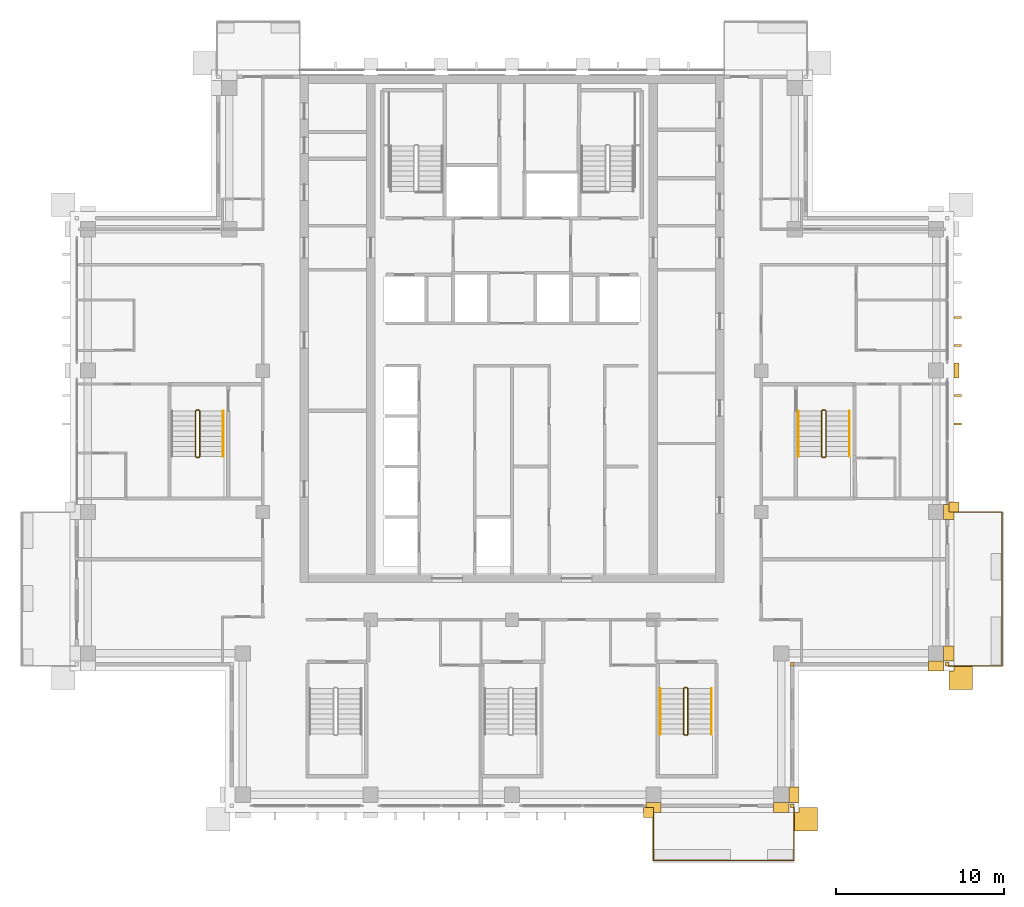
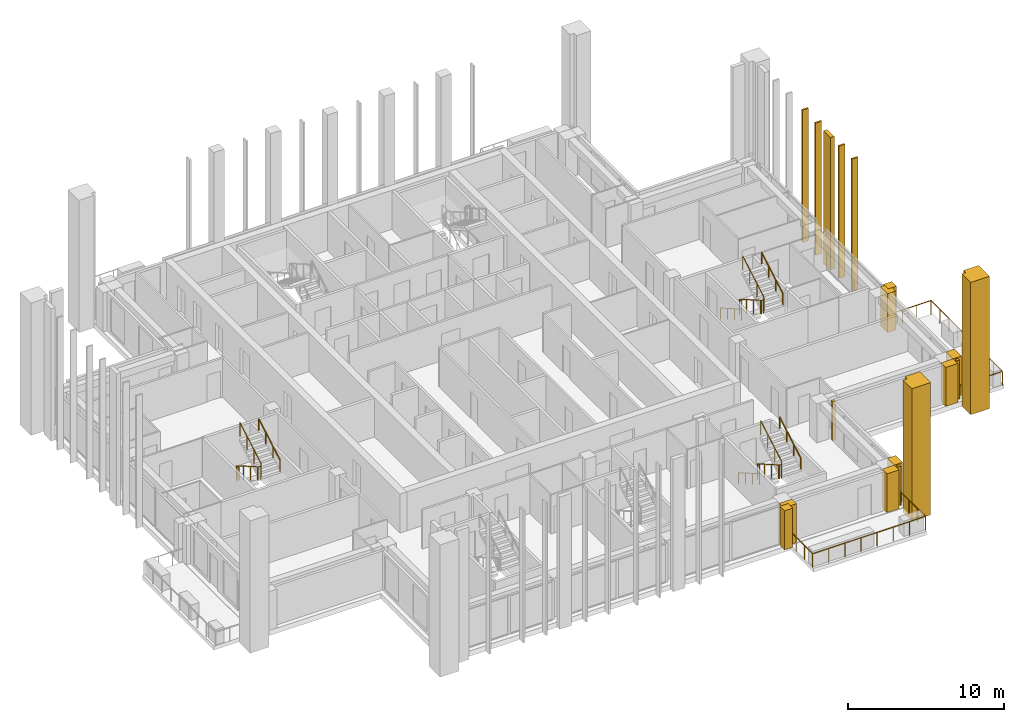
# One storey, part 18 of 20: 18 coverings, 10 railings.
"""IFC4 building model written with IfcOpenShell, lengths in metres."""

from ifc_helpers import new_model, si_unit, direction, frame, origin, origin_2d, place, context, subcontext, project, spatial, polyline, rectangle, outline, extrude, material, layer, layer_set, type_object, element, save


model = new_model("IFC4")

# Units and contexts
model_context = context("Model", 3, precision=1e-05, world=origin(), true_north=direction((0.0, 1.0)))
body_context = subcontext(model_context, "Body", "Model", "MODEL_VIEW")
ifc_project = project(units=[si_unit("LENGTHUNIT", "METRE"), si_unit("AREAUNIT", "SQUARE_METRE"), si_unit("VOLUMEUNIT", "CUBIC_METRE"), si_unit("PLANEANGLEUNIT", "RADIAN"), si_unit("MASSUNIT", "GRAM", prefix="KILO")], contexts=[model_context])

# Site, building, storey
site_placement = place(None, origin())
site = spatial("IfcSite", under=ifc_project, at=site_placement, CompositionType="ELEMENT")
building_placement = place(site_placement, origin())
building = spatial("IfcBuilding", under=site, at=building_placement, Name="Vermilion Ogive Tower", CompositionType="ELEMENT")
storey_placement = place(building_placement, frame((0.0, 0.0, 223.449951171875)))
storey = spatial("IfcBuildingStorey", under=building, at=storey_placement, Name="L58", CompositionType="ELEMENT", Elevation=223.449951171875)

# Railings
ifc_material_1 = material(Name="Stainless steel and glass", Category="steel")
railing_type_1 = type_object("IfcRailingType", Name="Balcony guard", PredefinedType="GUARDRAIL", material=ifc_material_1)
railing_1_placement = place(storey_placement, frame((8.39990234375, -21.75, -0.0400390625)))
element("IfcRailing", 1, at=railing_1_placement, inside=storey, type_object=railing_type_1, Name="Guard S04", PredefinedType="GUARDRAIL", context=body_context, shape_type="SweptSolid", body=[
    extrude(rectangle(XDim=0.048095703125, YDim=0.048095703125, at=origin_2d()), frame((0.0, 0.0, 1.076171875), z_axis=(0.0, -1.0, 0.0), x_axis=(1.0, 0.0, 0.0)), (0.0, 0.0, 1.0), 3.159912109375),
    extrude(rectangle(XDim=0.048095703125, YDim=0.048095703125, at=origin_2d()), frame((0.0, -3.159912109375, 1.076171875), z_axis=(1.0, 0.0, 0.0), x_axis=(0.0, 1.0, 0.0)), (0.0, 0.0, 1.0), 8.35009765625),
    extrude(rectangle(XDim=0.048095703125, YDim=0.048095703125, at=origin_2d()), frame((8.35009765625, -3.159912109375, 1.076171875), z_axis=(0.0, 1.0, 0.0), x_axis=(-1.0, 0.0, 0.0)), (0.0, 0.0, 1.0), 3.159912109375),
    extrude(rectangle(XDim=0.0419921875, YDim=0.0419921875, at=origin_2d()), origin(), (0.0, 0.0, 1.0), 1.052001953125),
    extrude(rectangle(XDim=0.0419921875, YDim=0.0419921875, at=origin_2d()), frame((0.0, -1.05322265625, 0.0)), (0.0, 0.0, 1.0), 1.052001953125),
    extrude(rectangle(XDim=0.0419921875, YDim=0.0419921875, at=origin_2d()), frame((0.0, -2.106689453125, 0.0)), (0.0, 0.0, 1.0), 1.052001953125),
    extrude(rectangle(XDim=0.0419921875, YDim=0.0419921875, at=origin_2d()), frame((0.0, -3.159912109375, 0.0)), (0.0, 0.0, 1.0), 1.052001953125),
    extrude(rectangle(XDim=0.0419921875, YDim=0.0419921875, at=origin_2d()), frame((1.19287109375, -3.159912109375, 0.0)), (0.0, 0.0, 1.0), 1.052001953125),
    extrude(rectangle(XDim=0.0419921875, YDim=0.0419921875, at=origin_2d()), frame((2.3857421875, -3.159912109375, 0.0)), (0.0, 0.0, 1.0), 1.052001953125),
    extrude(rectangle(XDim=0.0419921875, YDim=0.0419921875, at=origin_2d()), frame((3.57861328125, -3.159912109375, 0.0)), (0.0, 0.0, 1.0), 1.052001953125),
    extrude(rectangle(XDim=0.0419921875, YDim=0.0419921875, at=origin_2d()), frame((4.771484375, -3.159912109375, 0.0)), (0.0, 0.0, 1.0), 1.052001953125),
    extrude(rectangle(XDim=0.0419921875, YDim=0.0419921875, at=origin_2d()), frame((5.96435546875, -3.159912109375, 0.0)), (0.0, 0.0, 1.0), 1.052001953125),
    extrude(rectangle(XDim=0.0419921875, YDim=0.0419921875, at=origin_2d()), frame((7.1572265625, -3.159912109375, 0.0)), (0.0, 0.0, 1.0), 1.052001953125),
    extrude(rectangle(XDim=0.0419921875, YDim=0.0419921875, at=origin_2d()), frame((8.35009765625, -3.159912109375, 0.0)), (0.0, 0.0, 1.0), 1.052001953125),
    extrude(rectangle(XDim=0.0419921875, YDim=0.0419921875, at=origin_2d()), frame((8.35009765625, -2.106689453125, 0.0)), (0.0, 0.0, 1.0), 1.052001953125),
    extrude(rectangle(XDim=0.0419921875, YDim=0.0419921875, at=origin_2d()), frame((8.35009765625, -1.05322265625, 0.0)), (0.0, 0.0, 1.0), 1.052001953125),
    extrude(rectangle(XDim=0.0419921875, YDim=0.0419921875, at=origin_2d()), frame((8.35009765625, 0.0, 0.0)), (0.0, 0.0, 1.0), 1.052001953125),
])
railing_2_placement = place(storey_placement, frame((25.949951171875, -13.35009765625, -0.0400390625)))
element("IfcRailing", 2, at=railing_2_placement, inside=storey, type_object=railing_type_1, Name="Guard E01", PredefinedType="GUARDRAIL", context=body_context, shape_type="SweptSolid", body=[
    extrude(rectangle(XDim=0.048095703125, YDim=0.048095703125, at=origin_2d()), frame((0.0, 0.0, 1.076171875), z_axis=(1.0, 0.0, 0.0), x_axis=(0.0, 1.0, 0.0)), (0.0, 0.0, 1.0), 3.16015625),
    extrude(rectangle(XDim=0.048095703125, YDim=0.048095703125, at=origin_2d()), frame((3.16015625, 0.0, 1.076171875), z_axis=(0.0, 1.0, 0.0), x_axis=(-1.0, 0.0, 0.0)), (0.0, 0.0, 1.0), 9.150146484375),
    extrude(rectangle(XDim=0.048095703125, YDim=0.048095703125, at=origin_2d()), frame((3.16015625, 9.150146484375, 1.076171875), z_axis=(-1.0, 0.0, 0.0), x_axis=(0.0, -1.0, 0.0)), (0.0, 0.0, 1.0), 3.16015625),
    extrude(rectangle(XDim=0.0419921875, YDim=0.0419921875, at=origin_2d()), origin(), (0.0, 0.0, 1.0), 1.052001953125),
    extrude(rectangle(XDim=0.0419921875, YDim=0.0419921875, at=origin_2d()), frame((1.053466796875, 0.0, 0.0)), (0.0, 0.0, 1.0), 1.052001953125),
    extrude(rectangle(XDim=0.0419921875, YDim=0.0419921875, at=origin_2d()), frame((2.106689453125, 0.0, 0.0)), (0.0, 0.0, 1.0), 1.052001953125),
    extrude(rectangle(XDim=0.0419921875, YDim=0.0419921875, at=origin_2d()), frame((3.16015625, 0.0, 0.0)), (0.0, 0.0, 1.0), 1.052001953125),
    extrude(rectangle(XDim=0.0419921875, YDim=0.0419921875, at=origin_2d()), frame((3.16015625, 1.143798828125, 0.0)), (0.0, 0.0, 1.0), 1.052001953125),
    extrude(rectangle(XDim=0.0419921875, YDim=0.0419921875, at=origin_2d()), frame((3.16015625, 2.28759765625, 0.0)), (0.0, 0.0, 1.0), 1.052001953125),
    extrude(rectangle(XDim=0.0419921875, YDim=0.0419921875, at=origin_2d()), frame((3.16015625, 3.431396484375, 0.0)), (0.0, 0.0, 1.0), 1.052001953125),
    extrude(rectangle(XDim=0.0419921875, YDim=0.0419921875, at=origin_2d()), frame((3.16015625, 4.5751953125, 0.0)), (0.0, 0.0, 1.0), 1.052001953125),
    extrude(rectangle(XDim=0.0419921875, YDim=0.0419921875, at=origin_2d()), frame((3.16015625, 5.71875, 0.0)), (0.0, 0.0, 1.0), 1.052001953125),
    extrude(rectangle(XDim=0.0419921875, YDim=0.0419921875, at=origin_2d()), frame((3.16015625, 6.862548828125, 0.0)), (0.0, 0.0, 1.0), 1.052001953125),
    extrude(rectangle(XDim=0.0419921875, YDim=0.0419921875, at=origin_2d()), frame((3.16015625, 8.00634765625, 0.0)), (0.0, 0.0, 1.0), 1.052001953125),
    extrude(rectangle(XDim=0.0419921875, YDim=0.0419921875, at=origin_2d()), frame((3.16015625, 9.150146484375, 0.0)), (0.0, 0.0, 1.0), 1.052001953125),
    extrude(rectangle(XDim=0.0419921875, YDim=0.0419921875, at=origin_2d()), frame((2.106689453125, 9.150146484375, 0.0)), (0.0, 0.0, 1.0), 1.052001953125),
    extrude(rectangle(XDim=0.0419921875, YDim=0.0419921875, at=origin_2d()), frame((1.053466796875, 9.150146484375, 0.0)), (0.0, 0.0, 1.0), 1.052001953125),
    extrude(rectangle(XDim=0.0419921875, YDim=0.0419921875, at=origin_2d()), frame((0.0, 9.150146484375, 0.0)), (0.0, 0.0, 1.0), 1.052001953125),
])

# Coverings
ifc_material_2 = material(Name="Glazed ceramic screen")
ifc_layer = layer(ifc_material_2, 0.14990234375)
ifc_layer_set = layer_set([ifc_layer], Name="Ceramic solar screen fin")
covering_type_1 = type_object("IfcCoveringType", Name="Ceramic solar screen fin", PredefinedType="CLADDING", material=ifc_layer_set)
covering_1_placement = place(storey_placement, frame((0.0, 0.0, -0.39990234375)))
element("IfcCovering", 3, at=covering_1_placement, inside=storey, type_object=covering_type_1, Name="Solar screen blade E001", PredefinedType="CLADDING", context=body_context, shape_type="SweptSolid", body=[
    extrude(outline(polyline([(26.699951171875, 0.9775390625), (26.699951171875, 1.097412109375), (26.25, 1.097412109375), (26.25, 0.9775390625), (26.699951171875, 0.9775390625)])), origin(), (0.0, 0.0, 1.0), 10.349853515625),
])
covering_2_placement = place(storey_placement, frame((0.0, 0.0, -0.39990234375)))
element("IfcCovering", 4, at=covering_2_placement, inside=storey, type_object=covering_type_1, Name="Solar screen blade E002", PredefinedType="CLADDING", context=body_context, shape_type="SweptSolid", body=[
    extrude(outline(polyline([(26.699951171875, 2.652587890625), (26.699951171875, 2.7724609375), (26.25, 2.7724609375), (26.25, 2.652587890625), (26.699951171875, 2.652587890625)])), origin(), (0.0, 0.0, 1.0), 10.349853515625),
])
covering_3_placement = place(storey_placement, frame((0.0, 0.0, -0.39990234375)))
element("IfcCovering", 5, at=covering_3_placement, inside=storey, type_object=covering_type_1, Name="Solar screen blade E011", PredefinedType="CLADDING", context=body_context, shape_type="SweptSolid", body=[
    extrude(outline(polyline([(26.699951171875, 5.62744140625), (26.699951171875, 5.74755859375), (26.25, 5.74755859375), (26.25, 5.62744140625), (26.699951171875, 5.62744140625)])), origin(), (0.0, 0.0, 1.0), 10.349853515625),
])
covering_4_placement = place(storey_placement, frame((0.0, 0.0, -0.39990234375)))
element("IfcCovering", 6, at=covering_4_placement, inside=storey, type_object=covering_type_1, Name="Solar screen blade E012", PredefinedType="CLADDING", context=body_context, shape_type="SweptSolid", body=[
    extrude(outline(polyline([(26.699951171875, 7.302490234375), (26.699951171875, 7.422607421875), (26.25, 7.422607421875), (26.25, 7.302490234375), (26.699951171875, 7.302490234375)])), origin(), (0.0, 0.0, 1.0), 10.349853515625),
])

# Railings
ifc_material_3 = material(Name="Steel S355 painted", Category="steel")
railing_type_2 = type_object("IfcRailingType", Name="Stair guard 1100", PredefinedType="GUARDRAIL", material=ifc_material_3)
railing_3_placement = place(storey_placement, frame((10.39990234375, -14.64990234375, 0.0)))
element("IfcRailing", 7, at=railing_3_placement, inside=storey, type_object=railing_type_2, Name="L58 ST5 stair guard 4", PredefinedType="GUARDRAIL", context=body_context, shape_type="SweptSolid", body=[
    extrude(rectangle(XDim=0.048095703125, YDim=0.048095703125, at=origin_2d()), frame((0.0, 0.0, 1.076171875), z_axis=(-1.0, 0.0, 0.0), x_axis=(0.0, -1.0, 0.0)), (0.0, 0.0, 1.0), 0.14990234375),
    extrude(rectangle(XDim=0.048095703125, YDim=0.048095703125, at=origin_2d()), frame((-0.14990234375, 0.0, 1.076171875), z_axis=(-0.268277960024, -0.268277960024, 0.925231793839), x_axis=(0.707106781187, -0.707106781187, 0.0)), (0.0, 0.0, 1.0), 0.1865234375),
    extrude(rectangle(XDim=0.048095703125, YDim=0.048095703125, at=origin_2d()), frame((-0.199951171875, -0.050048828125, 1.24853515625), z_axis=(0.0, -0.866903762492, 0.498475542607), x_axis=(1.0, 0.0, 0.0)), (0.0, 0.0, 1.0), 3.114501953125),
    extrude(rectangle(XDim=0.048095703125, YDim=0.048095703125, at=origin_2d()), frame((-0.199951171875, -2.75, 2.80126953125), z_axis=(0.707106781187, -0.707106781187, 0.0), x_axis=(0.707106781187, 0.707106781187, 0.0)), (0.0, 0.0, 1.0), 0.07080078125),
    extrude(rectangle(XDim=0.048095703125, YDim=0.048095703125, at=origin_2d()), frame((-0.14990234375, -2.800048828125, 2.80126953125), z_axis=(1.0, 0.0, 0.0), x_axis=(0.0, 1.0, 0.0)), (0.0, 0.0, 1.0), 0.14990234375),
    extrude(rectangle(XDim=0.048095703125, YDim=0.048095703125, at=origin_2d()), frame((0.0, -2.800048828125, 2.80126953125), z_axis=(0.268603158521, 0.268603158521, 0.925043072762), x_axis=(-0.707106781187, 0.707106781187, 0.0)), (0.0, 0.0, 1.0), 0.186279296875),
    extrude(rectangle(XDim=0.048095703125, YDim=0.048095703125, at=origin_2d()), frame((0.050048828125, -2.75, 2.9736328125), z_axis=(0.0, 0.866903762492, 0.498475542607), x_axis=(-1.0, 0.0, 0.0)), (0.0, 0.0, 1.0), 3.114501953125),
    extrude(rectangle(XDim=0.0419921875, YDim=0.0419921875, at=origin_2d()), origin(), (0.0, 0.0, 1.0), 1.052001953125),
    extrude(rectangle(XDim=0.0419921875, YDim=0.0419921875, at=origin_2d()), frame((-0.14990234375, 0.0, 0.0)), (0.0, 0.0, 1.0), 1.052001953125),
    extrude(rectangle(XDim=0.0419921875, YDim=0.0419921875, at=origin_2d()), frame((-0.199951171875, -0.050048828125, 0.172607421875)), (0.0, 0.0, 1.0), 1.052001953125),
    extrude(rectangle(XDim=0.0419921875, YDim=0.0419921875, at=origin_2d()), frame((-0.199951171875, -0.949951171875, 0.690185546875)), (0.0, 0.0, 1.0), 1.052001953125),
    extrude(rectangle(XDim=0.0419921875, YDim=0.0419921875, at=origin_2d()), frame((-0.199951171875, -1.85009765625, 1.20751953125)), (0.0, 0.0, 1.0), 1.052001953125),
    extrude(rectangle(XDim=0.0419921875, YDim=0.0419921875, at=origin_2d()), frame((-0.199951171875, -2.75, 1.72509765625)), (0.0, 0.0, 1.0), 1.052001953125),
    extrude(rectangle(XDim=0.0419921875, YDim=0.0419921875, at=origin_2d()), frame((-0.14990234375, -2.800048828125, 1.72509765625)), (0.0, 0.0, 1.0), 1.052001953125),
    extrude(rectangle(XDim=0.0419921875, YDim=0.0419921875, at=origin_2d()), frame((0.0, -2.800048828125, 1.72509765625)), (0.0, 0.0, 1.0), 1.052001953125),
    extrude(rectangle(XDim=0.0419921875, YDim=0.0419921875, at=origin_2d()), frame((0.050048828125, -2.75, 1.8974609375)), (0.0, 0.0, 1.0), 1.052001953125),
    extrude(rectangle(XDim=0.0419921875, YDim=0.0419921875, at=origin_2d()), frame((0.050048828125, -1.85009765625, 2.4150390625)), (0.0, 0.0, 1.0), 1.052001953125),
    extrude(rectangle(XDim=0.0419921875, YDim=0.0419921875, at=origin_2d()), frame((0.050048828125, -0.949951171875, 2.932373046875)), (0.0, 0.0, 1.0), 1.052001953125),
    extrude(rectangle(XDim=0.0419921875, YDim=0.0419921875, at=origin_2d()), frame((0.050048828125, -0.050048828125, 3.449951171875)), (0.0, 0.0, 1.0), 1.052001953125),
])
railing_4_placement = place(storey_placement, frame((18.60009765625, 1.85009765625, 0.0)))
element("IfcRailing", 8, at=railing_4_placement, inside=storey, type_object=railing_type_2, Name="L58 ST8 stair guard 4", PredefinedType="GUARDRAIL", context=body_context, shape_type="SweptSolid", body=[
    extrude(rectangle(XDim=0.048095703125, YDim=0.048095703125, at=origin_2d()), frame((0.0, 0.0, 1.076171875), z_axis=(-1.0, 0.0, 0.0), x_axis=(0.0, -1.0, 0.0)), (0.0, 0.0, 1.0), 0.150146484375),
    extrude(rectangle(XDim=0.048095703125, YDim=0.048095703125, at=origin_2d()), frame((-0.150146484375, 0.0, 1.076171875), z_axis=(-0.268277960024, -0.268277960024, 0.925231793839), x_axis=(0.707106781187, -0.707106781187, 0.0)), (0.0, 0.0, 1.0), 0.1865234375),
    extrude(rectangle(XDim=0.048095703125, YDim=0.048095703125, at=origin_2d()), frame((-0.2001953125, -0.050048828125, 1.24853515625), z_axis=(0.0, -0.866903762492, 0.498475542607), x_axis=(1.0, 0.0, 0.0)), (0.0, 0.0, 1.0), 3.114501953125),
    extrude(rectangle(XDim=0.048095703125, YDim=0.048095703125, at=origin_2d()), frame((-0.2001953125, -2.75, 2.80126953125), z_axis=(0.707106781187, -0.707106781187, 0.0), x_axis=(0.707106781187, 0.707106781187, 0.0)), (0.0, 0.0, 1.0), 0.07080078125),
    extrude(rectangle(XDim=0.048095703125, YDim=0.048095703125, at=origin_2d()), frame((-0.150146484375, -2.800048828125, 2.80126953125), z_axis=(1.0, 0.0, 0.0), x_axis=(0.0, 1.0, 0.0)), (0.0, 0.0, 1.0), 0.150146484375),
    extrude(rectangle(XDim=0.048095703125, YDim=0.048095703125, at=origin_2d()), frame((0.0, -2.800048828125, 2.80126953125), z_axis=(0.267386790225, 0.268697509785, 0.925368009307), x_axis=(-0.708833529934, 0.705375805398, 0.0)), (0.0, 0.0, 1.0), 0.186279296875),
    extrude(rectangle(XDim=0.048095703125, YDim=0.048095703125, at=origin_2d()), frame((0.0498046875, -2.75, 2.9736328125), z_axis=(0.0, 0.866903762492, 0.498475542607), x_axis=(-1.0, 0.0, 0.0)), (0.0, 0.0, 1.0), 3.114501953125),
    extrude(rectangle(XDim=0.0419921875, YDim=0.0419921875, at=origin_2d()), origin(), (0.0, 0.0, 1.0), 1.052001953125),
    extrude(rectangle(XDim=0.0419921875, YDim=0.0419921875, at=origin_2d()), frame((-0.150146484375, 0.0, 0.0)), (0.0, 0.0, 1.0), 1.052001953125),
    extrude(rectangle(XDim=0.0419921875, YDim=0.0419921875, at=origin_2d()), frame((-0.2001953125, -0.050048828125, 0.172607421875)), (0.0, 0.0, 1.0), 1.052001953125),
    extrude(rectangle(XDim=0.0419921875, YDim=0.0419921875, at=origin_2d()), frame((-0.2001953125, -0.949951171875, 0.690185546875)), (0.0, 0.0, 1.0), 1.052001953125),
    extrude(rectangle(XDim=0.0419921875, YDim=0.0419921875, at=origin_2d()), frame((-0.2001953125, -1.85009765625, 1.20751953125)), (0.0, 0.0, 1.0), 1.052001953125),
    extrude(rectangle(XDim=0.0419921875, YDim=0.0419921875, at=origin_2d()), frame((-0.2001953125, -2.75, 1.72509765625)), (0.0, 0.0, 1.0), 1.052001953125),
    extrude(rectangle(XDim=0.0419921875, YDim=0.0419921875, at=origin_2d()), frame((-0.150146484375, -2.800048828125, 1.72509765625)), (0.0, 0.0, 1.0), 1.052001953125),
    extrude(rectangle(XDim=0.0419921875, YDim=0.0419921875, at=origin_2d()), frame((0.0, -2.800048828125, 1.72509765625)), (0.0, 0.0, 1.0), 1.052001953125),
    extrude(rectangle(XDim=0.0419921875, YDim=0.0419921875, at=origin_2d()), frame((0.0498046875, -2.75, 1.8974609375)), (0.0, 0.0, 1.0), 1.052001953125),
    extrude(rectangle(XDim=0.0419921875, YDim=0.0419921875, at=origin_2d()), frame((0.0498046875, -1.85009765625, 2.4150390625)), (0.0, 0.0, 1.0), 1.052001953125),
    extrude(rectangle(XDim=0.0419921875, YDim=0.0419921875, at=origin_2d()), frame((0.0498046875, -0.949951171875, 2.932373046875)), (0.0, 0.0, 1.0), 1.052001953125),
    extrude(rectangle(XDim=0.0419921875, YDim=0.0419921875, at=origin_2d()), frame((0.0498046875, -0.050048828125, 3.449951171875)), (0.0, 0.0, 1.0), 1.052001953125),
])
railing_5_placement = place(storey_placement, frame((-18.60009765625, 1.85009765625, 0.0)))
element("IfcRailing", 9, at=railing_5_placement, inside=storey, type_object=railing_type_2, Name="L58 ST9 stair guard 4", PredefinedType="GUARDRAIL", context=body_context, shape_type="SweptSolid", body=[
    extrude(rectangle(XDim=0.048095703125, YDim=0.048095703125, at=origin_2d()), frame((0.0, 0.0, 1.076171875), z_axis=(-1.0, 0.0, 0.0), x_axis=(0.0, -1.0, 0.0)), (0.0, 0.0, 1.0), 0.14990234375),
    extrude(rectangle(XDim=0.048095703125, YDim=0.048095703125, at=origin_2d()), frame((-0.14990234375, 0.0, 1.076171875), z_axis=(-0.268277960024, -0.268277960024, 0.925231793839), x_axis=(0.707106781187, -0.707106781187, 0.0)), (0.0, 0.0, 1.0), 0.1865234375),
    extrude(rectangle(XDim=0.048095703125, YDim=0.048095703125, at=origin_2d()), frame((-0.199951171875, -0.050048828125, 1.24853515625), z_axis=(0.0, -0.866903762492, 0.498475542607), x_axis=(1.0, 0.0, 0.0)), (0.0, 0.0, 1.0), 3.114501953125),
    extrude(rectangle(XDim=0.048095703125, YDim=0.048095703125, at=origin_2d()), frame((-0.199951171875, -2.75, 2.80126953125), z_axis=(0.707106781187, -0.707106781187, 0.0), x_axis=(0.707106781187, 0.707106781187, 0.0)), (0.0, 0.0, 1.0), 0.07080078125),
    extrude(rectangle(XDim=0.048095703125, YDim=0.048095703125, at=origin_2d()), frame((-0.14990234375, -2.800048828125, 2.80126953125), z_axis=(1.0, 0.0, 0.0), x_axis=(0.0, 1.0, 0.0)), (0.0, 0.0, 1.0), 0.14990234375),
    extrude(rectangle(XDim=0.048095703125, YDim=0.048095703125, at=origin_2d()), frame((0.0, -2.800048828125, 2.80126953125), z_axis=(0.268603158521, 0.268603158521, 0.925043072762), x_axis=(-0.707106781187, 0.707106781187, 0.0)), (0.0, 0.0, 1.0), 0.186279296875),
    extrude(rectangle(XDim=0.048095703125, YDim=0.048095703125, at=origin_2d()), frame((0.050048828125, -2.75, 2.9736328125), z_axis=(0.0, 0.866903762492, 0.498475542607), x_axis=(-1.0, 0.0, 0.0)), (0.0, 0.0, 1.0), 3.114501953125),
    extrude(rectangle(XDim=0.0419921875, YDim=0.0419921875, at=origin_2d()), origin(), (0.0, 0.0, 1.0), 1.052001953125),
    extrude(rectangle(XDim=0.0419921875, YDim=0.0419921875, at=origin_2d()), frame((-0.14990234375, 0.0, 0.0)), (0.0, 0.0, 1.0), 1.052001953125),
    extrude(rectangle(XDim=0.0419921875, YDim=0.0419921875, at=origin_2d()), frame((-0.199951171875, -0.050048828125, 0.172607421875)), (0.0, 0.0, 1.0), 1.052001953125),
    extrude(rectangle(XDim=0.0419921875, YDim=0.0419921875, at=origin_2d()), frame((-0.199951171875, -0.949951171875, 0.690185546875)), (0.0, 0.0, 1.0), 1.052001953125),
    extrude(rectangle(XDim=0.0419921875, YDim=0.0419921875, at=origin_2d()), frame((-0.199951171875, -1.85009765625, 1.20751953125)), (0.0, 0.0, 1.0), 1.052001953125),
    extrude(rectangle(XDim=0.0419921875, YDim=0.0419921875, at=origin_2d()), frame((-0.199951171875, -2.75, 1.72509765625)), (0.0, 0.0, 1.0), 1.052001953125),
    extrude(rectangle(XDim=0.0419921875, YDim=0.0419921875, at=origin_2d()), frame((-0.14990234375, -2.800048828125, 1.72509765625)), (0.0, 0.0, 1.0), 1.052001953125),
    extrude(rectangle(XDim=0.0419921875, YDim=0.0419921875, at=origin_2d()), frame((0.0, -2.800048828125, 1.72509765625)), (0.0, 0.0, 1.0), 1.052001953125),
    extrude(rectangle(XDim=0.0419921875, YDim=0.0419921875, at=origin_2d()), frame((0.050048828125, -2.75, 1.8974609375)), (0.0, 0.0, 1.0), 1.052001953125),
    extrude(rectangle(XDim=0.0419921875, YDim=0.0419921875, at=origin_2d()), frame((0.050048828125, -1.85009765625, 2.4150390625)), (0.0, 0.0, 1.0), 1.052001953125),
    extrude(rectangle(XDim=0.0419921875, YDim=0.0419921875, at=origin_2d()), frame((0.050048828125, -0.949951171875, 2.932373046875)), (0.0, 0.0, 1.0), 1.052001953125),
    extrude(rectangle(XDim=0.0419921875, YDim=0.0419921875, at=origin_2d()), frame((0.050048828125, -0.050048828125, 3.449951171875)), (0.0, 0.0, 1.0), 1.052001953125),
])
ifc_material_4 = material(Name="Stainless steel", Category="steel")
railing_type_3 = type_object("IfcRailingType", Name="Stair handrail 900", PredefinedType="HANDRAIL", material=ifc_material_4)
railing_6_placement = place(storey_placement, frame((8.800048828125, -14.699951171875, 0.172607421875)))
element("IfcRailing", 10, at=railing_6_placement, inside=storey, type_object=railing_type_3, Name="L58 ST5 stair handrail 1", PredefinedType="HANDRAIL", context=body_context, shape_type="SweptSolid", body=[
    extrude(rectangle(XDim=0.048095703125, YDim=0.048095703125, at=origin_2d()), frame((0.0, 0.0, 0.8759765625), z_axis=(0.0, -0.866903762492, 0.498475542607), x_axis=(1.0, 0.0, 0.0)), (0.0, 0.0, 1.0), 3.114501953125),
    extrude(rectangle(XDim=0.0419921875, YDim=0.0419921875, at=origin_2d()), origin(), (0.0, 0.0, 1.0), 0.851806640625),
    extrude(rectangle(XDim=0.0419921875, YDim=0.0419921875, at=origin_2d()), frame((0.0, -0.89990234375, 0.517578125)), (0.0, 0.0, 1.0), 0.851806640625),
    extrude(rectangle(XDim=0.0419921875, YDim=0.0419921875, at=origin_2d()), frame((0.0, -1.800048828125, 1.034912109375)), (0.0, 0.0, 1.0), 0.851806640625),
    extrude(rectangle(XDim=0.0419921875, YDim=0.0419921875, at=origin_2d()), frame((0.0, -2.699951171875, 1.552490234375)), (0.0, 0.0, 1.0), 0.851806640625),
])
railing_7_placement = place(storey_placement, frame((11.85009765625, -17.39990234375, 1.8974609375)))
element("IfcRailing", 11, at=railing_7_placement, inside=storey, type_object=railing_type_3, Name="L58 ST5 stair handrail 2", PredefinedType="HANDRAIL", context=body_context, shape_type="SweptSolid", body=[
    extrude(rectangle(XDim=0.048095703125, YDim=0.048095703125, at=origin_2d()), frame((0.0, 0.0, 0.8759765625), z_axis=(0.0, 0.866903762492, 0.498475542607), x_axis=(-1.0, 0.0, 0.0)), (0.0, 0.0, 1.0), 3.114501953125),
    extrude(rectangle(XDim=0.0419921875, YDim=0.0419921875, at=origin_2d()), origin(), (0.0, 0.0, 1.0), 0.851806640625),
    extrude(rectangle(XDim=0.0419921875, YDim=0.0419921875, at=origin_2d()), frame((0.0, 0.89990234375, 0.517578125)), (0.0, 0.0, 1.0), 0.851806640625),
    extrude(rectangle(XDim=0.0419921875, YDim=0.0419921875, at=origin_2d()), frame((0.0, 1.800048828125, 1.034912109375)), (0.0, 0.0, 1.0), 0.851806640625),
    extrude(rectangle(XDim=0.0419921875, YDim=0.0419921875, at=origin_2d()), frame((0.0, 2.699951171875, 1.552490234375)), (0.0, 0.0, 1.0), 0.851806640625),
])
railing_8_placement = place(storey_placement, frame((17.0, 1.800048828125, 0.172607421875)))
element("IfcRailing", 12, at=railing_8_placement, inside=storey, type_object=railing_type_3, Name="L58 ST8 stair handrail 1", PredefinedType="HANDRAIL", context=body_context, shape_type="SweptSolid", body=[
    extrude(rectangle(XDim=0.048095703125, YDim=0.048095703125, at=origin_2d()), frame((0.0, 0.0, 0.8759765625), z_axis=(0.0, -0.866903762492, 0.498475542607), x_axis=(1.0, 0.0, 0.0)), (0.0, 0.0, 1.0), 3.114501953125),
    extrude(rectangle(XDim=0.0419921875, YDim=0.0419921875, at=origin_2d()), origin(), (0.0, 0.0, 1.0), 0.851806640625),
    extrude(rectangle(XDim=0.0419921875, YDim=0.0419921875, at=origin_2d()), frame((0.0, -0.89990234375, 0.517578125)), (0.0, 0.0, 1.0), 0.851806640625),
    extrude(rectangle(XDim=0.0419921875, YDim=0.0419921875, at=origin_2d()), frame((0.0, -1.800048828125, 1.034912109375)), (0.0, 0.0, 1.0), 0.851806640625),
    extrude(rectangle(XDim=0.0419921875, YDim=0.0419921875, at=origin_2d()), frame((0.0, -2.699951171875, 1.552490234375)), (0.0, 0.0, 1.0), 0.851806640625),
])
for number, where, name in (
    (13, (20.050048828125, -0.89990234375, 1.8974609375), "L58 ST8 stair handrail 2"),
    (14, (-17.14990234375, -0.89990234375, 1.8974609375), "L58 ST9 stair handrail 2"),
):
    element("IfcRailing", number, at=place(storey_placement, frame(where)), inside=storey, type_object=railing_type_3, Name=name, PredefinedType="HANDRAIL", context=body_context, shape_type="SweptSolid", body=[
        extrude(rectangle(XDim=0.048095703125, YDim=0.048095703125, at=origin_2d()), frame((0.0, 0.0, 0.8759765625), z_axis=(0.0, 0.866903762492, 0.498475542607), x_axis=(-1.0, 0.0, 0.0)), (0.0, 0.0, 1.0), 3.114501953125),
        extrude(rectangle(XDim=0.0419921875, YDim=0.0419921875, at=origin_2d()), origin(), (0.0, 0.0, 1.0), 0.851806640625),
        extrude(rectangle(XDim=0.0419921875, YDim=0.0419921875, at=origin_2d()), frame((0.0, 0.89990234375, 0.517578125)), (0.0, 0.0, 1.0), 0.851806640625),
        extrude(rectangle(XDim=0.0419921875, YDim=0.0419921875, at=origin_2d()), frame((0.0, 1.800048828125, 1.034912109375)), (0.0, 0.0, 1.0), 0.851806640625),
        extrude(rectangle(XDim=0.0419921875, YDim=0.0419921875, at=origin_2d()), frame((0.0, 2.699951171875, 1.552490234375)), (0.0, 0.0, 1.0), 0.851806640625),
    ])

# Coverings
ifc_material_5 = material(Name="Stone cladding", Category="masonry")
covering_type_2 = type_object("IfcCoveringType", Name="Stone corner buttress", PredefinedType="CLADDING", material=ifc_material_5)
covering_5_placement = place(storey_placement, origin())
element("IfcCovering", 15, at=covering_5_placement, inside=storey, type_object=covering_type_2, Name="Stone crease pier SK", PredefinedType="CLADDING", context=body_context, shape_type="SweptSolid", body=[
    extrude(outline(polyline([(7.800048828125, -22.35009765625), (8.39990234375, -22.35009765625), (8.39990234375, -21.75), (7.800048828125, -21.75), (7.800048828125, -22.35009765625)])), origin(), (0.0, 0.0, 1.0), 3.050048828125),
])
covering_6_placement = place(storey_placement, origin())
element("IfcCovering", 16, at=covering_6_placement, inside=storey, type_object=covering_type_2, Name="Stone crease pier EK", PredefinedType="CLADDING", context=body_context, shape_type="SweptSolid", body=[
    extrude(outline(polyline([(26.550048828125, -4.199951171875), (26.550048828125, -3.60009765625), (25.949951171875, -3.60009765625), (25.949951171875, -4.199951171875), (26.550048828125, -4.199951171875)])), origin(), (0.0, 0.0, 1.0), 3.050048828125),
])
covering_7_placement = place(storey_placement, frame((0.0, 0.0, -0.39990234375)))
element("IfcCovering", 17, at=covering_7_placement, inside=storey, type_object=covering_type_2, Name="Stone corner buttress X11", PredefinedType="CLADDING", context=body_context, shape_type="SweptSolid", body=[
    extrude(outline(polyline([(16.75, -23.14990234375), (16.75, -22.050048828125), (17.050048828125, -22.050048828125), (17.050048828125, -21.75), (18.14990234375, -21.75), (18.14990234375, -23.14990234375), (16.75, -23.14990234375)])), origin(), (0.0, 0.0, 1.0), 10.349853515625),
])
covering_8_placement = place(storey_placement, frame((0.0, 0.0, -0.39990234375)))
element("IfcCovering", 18, at=covering_8_placement, inside=storey, type_object=covering_type_2, Name="Stone corner buttress E1", PredefinedType="CLADDING", context=body_context, shape_type="SweptSolid", body=[
    extrude(outline(polyline([(26.25, -13.64990234375), (26.25, -13.35009765625), (27.35009765625, -13.35009765625), (27.35009765625, -14.75), (25.949951171875, -14.75), (25.949951171875, -13.64990234375), (26.25, -13.64990234375)])), origin(), (0.0, 0.0, 1.0), 10.349853515625),
])
ifc_material_6 = material(Name="Stone cladding", Category="masonry")
covering_type_3 = type_object("IfcCoveringType", Name="Stone pier", PredefinedType="CLADDING", material=ifc_material_6)
covering_9_placement = place(storey_placement, origin())
element("IfcCovering", 19, at=covering_9_placement, inside=storey, type_object=covering_type_3, Name="Stone corner pier SE1", PredefinedType="CLADDING", context=body_context, shape_type="SweptSolid", body=[
    extrude(outline(polyline([(16.550048828125, -21.550048828125), (16.75, -21.550048828125), (16.75, -21.75), (16.550048828125, -21.75), (16.550048828125, -21.550048828125)])), origin(), (0.0, 0.0, 1.0), 3.050048828125),
])
covering_10_placement = place(storey_placement, origin())
element("IfcCovering", 20, at=covering_10_placement, inside=storey, type_object=covering_type_3, Name="Stone corner pier X1E1", PredefinedType="CLADDING", context=body_context, shape_type="SweptSolid", body=[
    extrude(outline(polyline([(16.550048828125, -13.14990234375), (16.75, -13.14990234375), (16.75, -13.35009765625), (16.550048828125, -13.35009765625), (16.550048828125, -13.14990234375)])), origin(), (0.0, 0.0, 1.0), 3.050048828125),
])
covering_11_placement = place(storey_placement, origin())
element("IfcCovering", 21, at=covering_11_placement, inside=storey, type_object=covering_type_3, Name="Stone corner pier X2E1", PredefinedType="CLADDING", context=body_context, shape_type="SweptSolid", body=[
    extrude(outline(polyline([(25.75, -13.14990234375), (25.949951171875, -13.14990234375), (25.949951171875, -13.35009765625), (25.75, -13.35009765625), (25.75, -13.14990234375)])), origin(), (0.0, 0.0, 1.0), 3.050048828125),
])
covering_12_placement = place(storey_placement, frame((0.0, 0.0, -0.39990234375)))
element("IfcCovering", 22, at=covering_12_placement, inside=storey, type_object=covering_type_3, Name="Stone pier P+0252+042", PredefinedType="CLADDING", context=body_context, shape_type="SweptSolid", body=[
    extrude(outline(polyline([(26.550048828125, 4.64990234375), (26.550048828125, 3.75), (26.25, 3.75), (26.25, 4.64990234375), (26.550048828125, 4.64990234375)])), origin(), (0.0, 0.0, 1.0), 10.349853515625),
])
covering_13_placement = place(storey_placement, origin())
element("IfcCovering", 23, at=covering_13_placement, inside=storey, type_object=covering_type_3, Name="Stone pier P+0084-210", PredefinedType="CLADDING", context=body_context, shape_type="SweptSolid", body=[
    extrude(outline(polyline([(8.85009765625, -21.449951171875), (8.85009765625, -22.050048828125), (8.39990234375, -22.050048828125), (8.39990234375, -21.75), (7.949951171875, -21.75), (7.949951171875, -21.449951171875), (7.949951171875, -21.449951171875), (8.85009765625, -21.449951171875)])), origin(), (0.0, 0.0, 1.0), 3.050048828125),
])
covering_14_placement = place(storey_placement, origin())
element("IfcCovering", 24, at=covering_14_placement, inside=storey, type_object=covering_type_3, Name="Stone pier P+0160-210S", PredefinedType="CLADDING", context=body_context, shape_type="SweptSolid", body=[
    extrude(outline(polyline([(16.449951171875, -21.449951171875), (16.449951171875, -21.449951171875), (16.449951171875, -22.050048828125), (15.550048828125, -22.050048828125), (15.550048828125, -21.449951171875), (15.550048828125, -21.449951171875), (16.449951171875, -21.449951171875)])), origin(), (0.0, 0.0, 1.0), 3.050048828125),
])
covering_15_placement = place(storey_placement, origin())
element("IfcCovering", 25, at=covering_15_placement, inside=storey, type_object=covering_type_3, Name="Stone pier P+0160-210X1", PredefinedType="CLADDING", context=body_context, shape_type="SweptSolid", body=[
    extrude(outline(polyline([(17.050048828125, -21.449951171875), (16.449951171875, -21.449951171875), (16.449951171875, -21.449951171875), (16.449951171875, -20.550048828125), (17.050048828125, -20.550048828125), (17.050048828125, -21.449951171875)])), origin(), (0.0, 0.0, 1.0), 3.050048828125),
])
covering_16_placement = place(storey_placement, origin())
element("IfcCovering", 26, at=covering_16_placement, inside=storey, type_object=covering_type_3, Name="Stone pier P+0252-042", PredefinedType="CLADDING", context=body_context, shape_type="SweptSolid", body=[
    extrude(outline(polyline([(25.949951171875, -3.75), (25.949951171875, -4.199951171875), (26.25, -4.199951171875), (26.25, -4.64990234375), (25.64990234375, -4.64990234375), (25.64990234375, -3.75), (25.949951171875, -3.75)])), origin(), (0.0, 0.0, 1.0), 3.050048828125),
])
covering_17_placement = place(storey_placement, origin())
element("IfcCovering", 27, at=covering_17_placement, inside=storey, type_object=covering_type_3, Name="Stone pier P+0252-126X2", PredefinedType="CLADDING", context=body_context, shape_type="SweptSolid", body=[
    extrude(outline(polyline([(25.64990234375, -13.64990234375), (24.75, -13.64990234375), (24.75, -13.050048828125), (25.64990234375, -13.050048828125), (25.64990234375, -13.64990234375)])), origin(), (0.0, 0.0, 1.0), 3.050048828125),
])
covering_18_placement = place(storey_placement, origin())
element("IfcCovering", 28, at=covering_18_placement, inside=storey, type_object=covering_type_3, Name="Stone pier P+0252-126E", PredefinedType="CLADDING", context=body_context, shape_type="SweptSolid", body=[
    extrude(outline(polyline([(26.25, -13.050048828125), (25.64990234375, -13.050048828125), (25.64990234375, -12.14990234375), (26.25, -12.14990234375), (26.25, -13.050048828125)])), origin(), (0.0, 0.0, 1.0), 3.050048828125),
])

save(model, "model.ifc")
